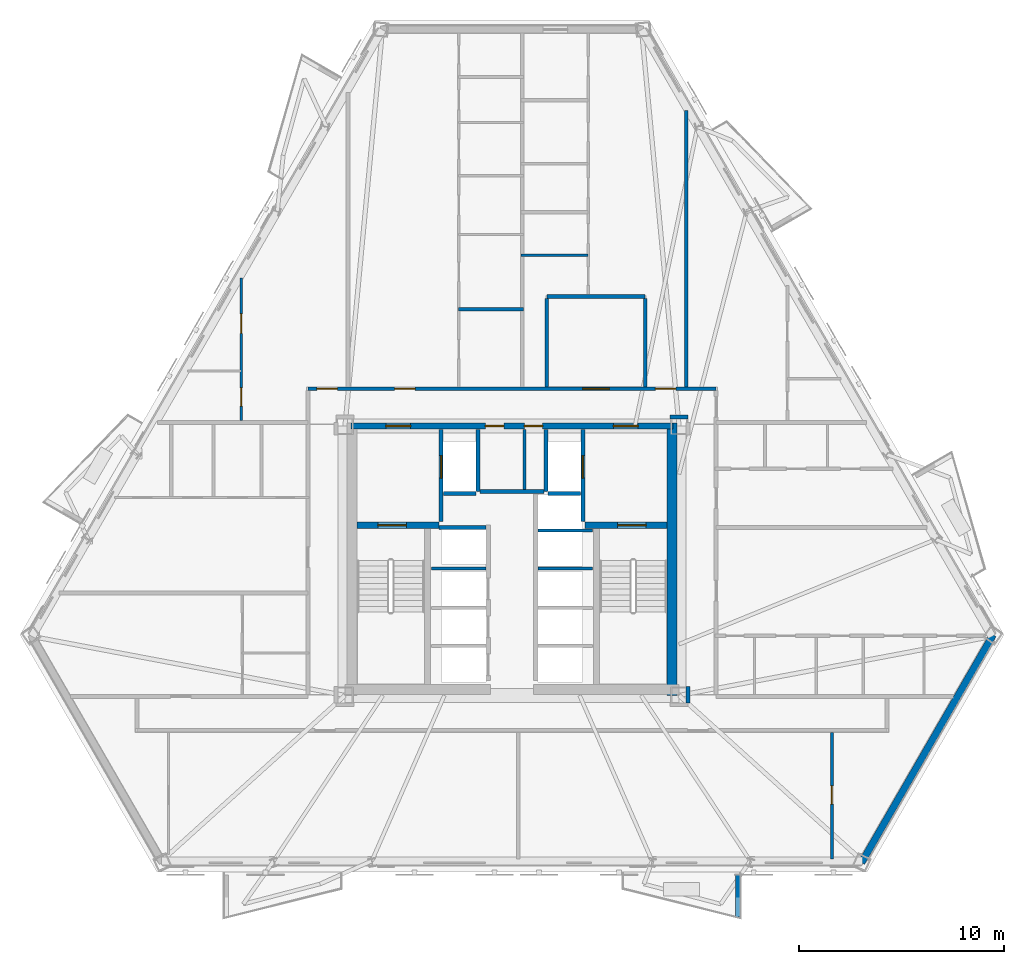
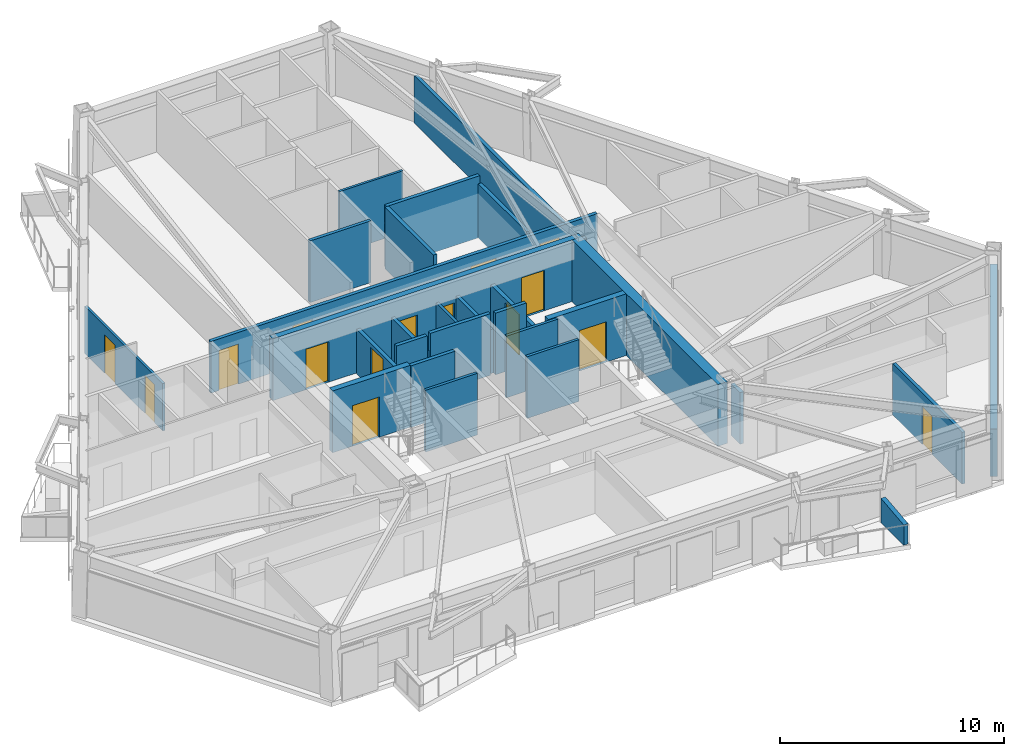
# One storey, part 4 of 11: 29 walls, 15 doors, 15 openings.
"""IFC4 building model written with IfcOpenShell, lengths in metres."""

from ifc_helpers import new_model, si_unit, direction, frame, frame_2d, origin, place, context, subcontext, project, spatial, polyline, rectangle, outline, extrude, material, layer, layer_set, type_object, element, fill, save


model = new_model("IFC4")

# Units and contexts
model_context = context("Model", 3, precision=1e-05, world=origin(), true_north=direction((0.0, 1.0)))
body_context = subcontext(model_context, "Body", "Model", "MODEL_VIEW")
ifc_project = project(units=[si_unit("LENGTHUNIT", "METRE"), si_unit("AREAUNIT", "SQUARE_METRE"), si_unit("VOLUMEUNIT", "CUBIC_METRE"), si_unit("PLANEANGLEUNIT", "RADIAN"), si_unit("MASSUNIT", "GRAM", prefix="KILO")], contexts=[model_context])

# Site, building, storey
site_placement = place(None, origin())
site = spatial("IfcSite", under=ifc_project, at=site_placement, CompositionType="ELEMENT")
building_placement = place(site_placement, origin())
building = spatial("IfcBuilding", under=site, at=building_placement, Name="Oramaril Tower", CompositionType="ELEMENT")
storey_placement = place(building_placement, frame((0.0, 0.0, 82.5)))
storey = spatial("IfcBuildingStorey", under=building, at=storey_placement, Name="L21", CompositionType="ELEMENT", Elevation=82.5)

# Walls
ifc_material_1 = material(Name="Warm Cream Limestone", Category="masonry")
ifc_layer_1 = layer(ifc_material_1, 0.340087890625)
ifc_layer_set_1 = layer_set([ifc_layer_1], Name="WT-EXT34")
wall_type_1 = type_object("IfcWallType", Name="WT-EXT34", PredefinedType="SOLIDWALL", material=ifc_layer_set_1)
wall_1_placement = place(storey_placement, frame((54.55419921875, 2.839111328125, 0.0), z_axis=(0.0, 0.0, 1.0), x_axis=(0.499997269419, 0.866026980281, 0.0)))
element("IfcWall", 1, at=wall_1_placement, inside=storey, type_object=wall_type_1, Name="L21 Tower Limestone Facade Wall 3M", PredefinedType="SOLIDWALL", context=body_context, shape_type="SweptSolid", body=[
    extrude(rectangle(XDim=12.84228515625, YDim=0.340087890625, at=frame_2d((6.421142578125, 0.0))), origin(), (0.0, 0.0, 1.0), 2.577880859375),
])
ifc_material_2 = material(Name="Concrete C40/50", Category="concrete")
ifc_layer_2 = layer(ifc_material_2, 0.22998046875)
ifc_layer_set_2 = layer_set([ifc_layer_2], Name="WT-PRP23")
wall_type_2 = type_object("IfcWallType", Name="WT-PRP23", PredefinedType="PARAPET", material=ifc_layer_set_2)
wall_2_placement = place(storey_placement, frame((48.514892578125, 2.2412109375, 0.0), z_axis=(0.0, 0.0, 1.0), x_axis=(0.0, -1.0, 0.0)))
element("IfcWall", 2, at=wall_2_placement, inside=storey, type_object=wall_type_2, Name="L21 Trapezoidal Balcony Frame Cheek L21-BAL-S2-R", PredefinedType="PARAPET", context=body_context, shape_type="SweptSolid", body=[
    extrude(outline(polyline([(0.0, 0.0), (2.0419921875, 0.0), (2.0419921875, 1.10009765625), (0.0, 1.320068359375), (0.0, 0.0)])), frame((0.0, 0.114990234375, 0.0), z_axis=(0.0, -1.0, 0.0), x_axis=(1.0, 0.0, 0.0)), (0.0, 0.0, 1.0), 0.22998046875),
])
ifc_material_3 = material(Name="Acoustic Gypsum Board Partition")
ifc_layer_3 = layer(ifc_material_3, 0.1201171875)
ifc_layer_set_3 = layer_set([ifc_layer_3], Name="WT-PT12")
wall_type_3 = type_object("IfcWallType", Name="WT-PT12", PredefinedType="PARTITIONING", material=ifc_layer_set_3)
wall_3_placement = place(storey_placement, frame((37.949951171875, 32.489990234375, 0.0), z_axis=(0.0, 0.0, 1.0), x_axis=(1.0, 0.0, 0.0)))
element("IfcWall", 3, at=wall_3_placement, inside=storey, type_object=wall_type_3, Name="L21 Interior Partition PT-12", PredefinedType="PARTITIONING", context=body_context, shape_type="SweptSolid", body=[
    extrude(rectangle(XDim=3.27001953125, YDim=0.1201171875, at=frame_2d((1.635009765625, 0.0))), origin(), (0.0, 0.0, 1.0), 3.360107421875),
])

# Wall, openings, doors
wall_4_placement = place(storey_placement, frame((24.280029296875, 24.4140625, 0.0), z_axis=(0.0, 0.0, 1.0), x_axis=(0.0, 1.0, 0.0)))
wall_4 = element("IfcWall", 4, at=wall_4_placement, inside=storey, type_object=wall_type_3, Name="L21 Interior Partition PT-12", PredefinedType="PARTITIONING", context=body_context, shape_type="SweptSolid", body=[
    extrude(rectangle(XDim=6.961669921875, YDim=0.1201171875, at=frame_2d((3.48095703125, 0.0))), origin(), (0.0, 0.0, 1.0), 2.577880859375),
])
opening_1_placement = place(wall_4_placement, frame((0.7109375, 0.0, 0.0)))
opening_1 = element("IfcOpeningElement", 5, at=opening_1_placement, cuts=wall_4, Name="Opening D-L21-21", PredefinedType="OPENING", context=body_context, shape_type="SweptSolid", body=[
    extrude(rectangle(XDim=0.8798828125, YDim=2.080078125, at=frame_2d((0.43994140625, 1.0400390625))), frame((0.0, 0.06005859375, 0.0), z_axis=(0.0, -1.0, 0.0), x_axis=(1.0, 0.0, 0.0)), (0.0, 0.0, 1.0), 0.1201171875),
])
opening_2_placement = place(wall_4_placement, frame((4.2578125, 0.0, 0.0)))
opening_2 = element("IfcOpeningElement", 6, at=opening_2_placement, cuts=wall_4, Name="Opening D-L21-22", PredefinedType="OPENING", context=body_context, shape_type="SweptSolid", body=[
    extrude(rectangle(XDim=0.949951171875, YDim=2.10009765625, at=frame_2d((0.47509765625, 1.050048828125))), frame((0.0, 0.06005859375, 0.0), z_axis=(0.0, -1.0, 0.0), x_axis=(1.0, 0.0, 0.0)), (0.0, 0.0, 1.0), 0.1201171875),
])
ifc_material_4 = material(Name="FSC Brazilian Freijo Hardwood", Category="wood")
door_type_1 = type_object("IfcDoorType", Name="DT-BATH", OperationType="NOTDEFINED", PredefinedType="DOOR", material=ifc_material_4)
door_1_placement = place(opening_1_placement, origin())
door_1 = element("IfcDoor", 7, at=door_1_placement, inside=storey, type_object=door_type_1, Name="L21 Flat L21-U7 Bathroom Door D-L21-21", OperationType="SINGLE_SWING_LEFT", OverallHeight=2.080078125, OverallWidth=0.8798828125, PredefinedType="DOOR", context=body_context, shape_type="SweptSolid", body=[
    extrude(rectangle(XDim=0.8798828125, YDim=2.080078125, at=frame_2d((0.43994140625, 1.0400390625))), frame((0.0, 0.02490234375, 0.0), z_axis=(0.0, -1.0, 0.0), x_axis=(1.0, 0.0, 0.0)), (0.0, 0.0, 1.0), 0.050048828125),
])
fill(opening_1, door_1)
ifc_material_5 = material(Name="FSC Brazilian Freijo Hardwood", Category="wood")
door_type_2 = type_object("IfcDoorType", Name="DT-STDY", OperationType="NOTDEFINED", PredefinedType="DOOR", material=ifc_material_5)
door_2_placement = place(opening_2_placement, origin())
door_2 = element("IfcDoor", 8, at=door_2_placement, inside=storey, type_object=door_type_2, Name="L21 Flat L21-U7 Kitchen Door D-L21-22", OperationType="SINGLE_SWING_RIGHT", OverallHeight=2.10009765625, OverallWidth=0.949951171875, PredefinedType="DOOR", context=body_context, shape_type="SweptSolid", body=[
    extrude(rectangle(XDim=0.949951171875, YDim=2.10009765625, at=frame_2d((0.47509765625, 1.050048828125))), frame((0.0, 0.02490234375, 0.0), z_axis=(0.0, -1.0, 0.0), x_axis=(1.0, 0.0, 0.0)), (0.0, 0.0, 1.0), 0.050048828125),
])
fill(opening_2, door_2)

# Walls
ifc_material_6 = material(Name="Acoustic Gypsum Board Partition")
ifc_layer_4 = layer(ifc_material_6, 0.139892578125)
ifc_layer_set_4 = layer_set([ifc_layer_4], Name="WT-PT14")
wall_type_4 = type_object("IfcWallType", Name="WT-PT14", PredefinedType="PARTITIONING", material=ifc_layer_set_4)
for number, where, z_axis, x_axis, name in (
    (9, (33.56005859375, 17.199951171875, 0.0), (0.0, 0.0, 1.0), (1.0, 0.0, 0.0), "L21 West Lift Divider"),
    (10, (38.780029296875, 17.199951171875, 0.0), (0.0, 0.0, 1.0), (1.0, 0.0, 0.0), "L21 East Lift Divider"),
    (11, (38.780029296875, 19.050048828125, 0.0), (0.0, 0.0, 1.0), (1.0, 0.0, 0.0), "L21 East Lift Divider"),
):
    element("IfcWall", number, at=place(storey_placement, frame(where, z_axis=z_axis, x_axis=x_axis)), inside=storey, type_object=wall_type_4, Name=name, PredefinedType="PARTITIONING", context=body_context, shape_type="SweptSolid", body=[
        extrude(rectangle(XDim=2.659912109375, YDim=0.139892578125, at=frame_2d((1.330078125, 0.0))), origin(), (0.0, 0.0, 1.0), 3.360107421875),
    ])
wall_5_placement = place(storey_placement, frame((38.110107421875, 21.06005859375, 0.0), z_axis=(0.0, 0.0, 1.0), x_axis=(0.0, 1.0, 0.0)))
element("IfcWall", 12, at=wall_5_placement, inside=storey, type_object=wall_type_4, Name="L21 Core Service Divider", PredefinedType="PARTITIONING", context=body_context, shape_type="SweptSolid", body=[
    extrude(rectangle(XDim=2.919921875, YDim=0.139892578125, at=frame_2d((1.4599609375, 0.0))), origin(), (0.0, 0.0, 1.0), 2.39990234375),
])
ifc_material_7 = material(Name="Acoustic Gypsum Board Partition")
ifc_layer_5 = layer(ifc_material_7, 0.159912109375)
ifc_layer_set_5 = layer_set([ifc_layer_5], Name="WT-PT16")
wall_type_5 = type_object("IfcWallType", Name="WT-PT16", PredefinedType="PARTITIONING", material=ifc_layer_set_5)
wall_6_placement = place(storey_placement, frame((34.89990234375, 29.85009765625, 0.0), z_axis=(0.0, 0.0, 1.0), x_axis=(1.0, 0.0, 0.0)))
element("IfcWall", 13, at=wall_6_placement, inside=storey, type_object=wall_type_5, Name="L21 Interior Partition PT-16", PredefinedType="PARTITIONING", context=body_context, shape_type="SweptSolid", body=[
    extrude(rectangle(XDim=3.150146484375, YDim=0.159912109375, at=frame_2d((1.5751953125, 0.0))), origin(), (0.0, 0.0, 1.0), 3.360107421875),
])

# Wall, opening, door
wall_7_placement = place(storey_placement, frame((53.110107421875, 3.01318359375, 0.0), z_axis=(0.0, 0.0, 1.0), x_axis=(0.0, 1.0, 0.0)))
wall_7 = element("IfcWall", 14, at=wall_7_placement, inside=storey, type_object=wall_type_5, Name="L21 Interior Partition PT-16", PredefinedType="PARTITIONING", context=body_context, shape_type="SweptSolid", body=[
    extrude(rectangle(XDim=6.19287109375, YDim=0.159912109375, at=frame_2d((3.096435546875, 0.0))), origin(), (0.0, 0.0, 1.0), 2.81396484375),
])
opening_3_placement = place(wall_7_placement, frame((2.69140625, 0.0, 0.0)))
opening_3 = element("IfcOpeningElement", 15, at=opening_3_placement, cuts=wall_7, Name="Opening D-L21-42", PredefinedType="OPENING", context=body_context, shape_type="SweptSolid", body=[
    extrude(rectangle(XDim=0.8798828125, YDim=2.080078125, at=frame_2d((0.43994140625, 1.0400390625))), frame((0.0, 0.080078125, 0.0), z_axis=(0.0, -1.0, 0.0), x_axis=(1.0, 0.0, 0.0)), (0.0, 0.0, 1.0), 0.159912109375),
])
door_3_placement = place(opening_3_placement, origin())
door_3 = element("IfcDoor", 16, at=door_3_placement, inside=storey, type_object=door_type_1, Name="L21 Flat L21-U2 Bathroom Door D-L21-42", OperationType="SINGLE_SWING_RIGHT", OverallHeight=2.080078125, OverallWidth=0.8798828125, PredefinedType="DOOR", context=body_context, shape_type="SweptSolid", body=[
    extrude(rectangle(XDim=0.8798828125, YDim=2.080078125, at=frame_2d((0.43994140625, 1.0400390625))), frame((0.0, 0.02490234375, 0.0), z_axis=(0.0, -1.0, 0.0), x_axis=(1.0, 0.0, 0.0)), (0.0, 0.0, 1.0), 0.050048828125),
])
fill(opening_3, door_3)

# Walls
ifc_material_8 = material(Name="Autoclaved Cellular Concrete Block", Category="concrete")
ifc_layer_6 = layer(ifc_material_8, 0.179931640625)
ifc_layer_set_6 = layer_set([ifc_layer_6], Name="WT-PT18")
wall_type_6 = type_object("IfcWallType", Name="WT-PT18", PredefinedType="PARTITIONING", material=ifc_layer_set_6)
wall_8_placement = place(storey_placement, frame((35.840087890625, 20.9599609375, 0.0), z_axis=(0.0, 0.0, 1.0), x_axis=(0.0, 1.0, 0.0)))
element("IfcWall", 17, at=wall_8_placement, inside=storey, type_object=wall_type_6, Name="L21 FL-1 East Shaft Wall", PredefinedType="PARTITIONING", context=body_context, shape_type="SweptSolid", body=[
    extrude(rectangle(XDim=3.02001953125, YDim=0.179931640625, at=frame_2d((1.510009765625, 0.0))), origin(), (0.0, 0.0, 1.0), 2.39990234375),
])
wall_9_placement = place(storey_placement, frame((34.159912109375, 20.860107421875, 0.0), z_axis=(0.0, 0.0, 1.0), x_axis=(1.0, 0.0, 0.0)))
element("IfcWall", 18, at=wall_9_placement, inside=storey, type_object=wall_type_6, Name="L21 FL-1 South Shaft Wall", PredefinedType="PARTITIONING", context=body_context, shape_type="SweptSolid", body=[
    extrude(rectangle(XDim=1.580078125, YDim=0.179931640625, at=frame_2d((0.7900390625, 0.0))), origin(), (0.0, 0.0, 1.0), 3.360107421875),
])
wall_10_placement = place(storey_placement, frame((39.159912109375, 20.9599609375, 0.0), z_axis=(0.0, 0.0, 1.0), x_axis=(0.0, 1.0, 0.0)))
element("IfcWall", 19, at=wall_10_placement, inside=storey, type_object=wall_type_6, Name="L21 FL-2 West Shaft Wall", PredefinedType="PARTITIONING", context=body_context, shape_type="SweptSolid", body=[
    extrude(rectangle(XDim=3.02001953125, YDim=0.179931640625, at=frame_2d((1.510009765625, 0.0))), origin(), (0.0, 0.0, 1.0), 2.39990234375),
])
wall_11_placement = place(storey_placement, frame((39.260009765625, 20.860107421875, 0.0), z_axis=(0.0, 0.0, 1.0), x_axis=(1.0, 0.0, 0.0)))
element("IfcWall", 20, at=wall_11_placement, inside=storey, type_object=wall_type_6, Name="L21 FL-2 South Shaft Wall", PredefinedType="PARTITIONING", context=body_context, shape_type="SweptSolid", body=[
    extrude(rectangle(XDim=1.580078125, YDim=0.179931640625, at=frame_2d((0.7900390625, 0.0))), origin(), (0.0, 0.0, 1.0), 3.360107421875),
])
wall_12_placement = place(storey_placement, frame((33.949951171875, 19.199951171875, 0.0), z_axis=(0.0, 0.0, 1.0), x_axis=(1.0, 0.0, 0.0)))
element("IfcWall", 21, at=wall_12_placement, inside=storey, type_object=wall_type_6, Name="L21 High-Rise Lift H1 North Shaft Wall", PredefinedType="PARTITIONING", context=body_context, shape_type="SweptSolid", body=[
    extrude(rectangle(XDim=2.27001953125, YDim=0.179931640625, at=frame_2d((1.135009765625, 0.0))), origin(), (0.0, 0.0, 1.0), 3.360107421875),
])
wall_13_placement = place(storey_placement, frame((35.949951171875, 20.949951171875, 0.0), z_axis=(0.0, 0.0, 1.0), x_axis=(1.0, 0.0, 0.0)))
element("IfcWall", 22, at=wall_13_placement, inside=storey, type_object=wall_type_6, Name="L21 Lift Lobby North Partition", PredefinedType="PARTITIONING", context=body_context, shape_type="SweptSolid", body=[
    extrude(rectangle(XDim=3.10009765625, YDim=0.179931640625, at=frame_2d((1.550048828125, 0.0))), origin(), (0.0, 0.0, 1.0), 3.360107421875),
])
wall_14_placement = place(storey_placement, frame((45.2099609375, 24.590087890625, 0.0), z_axis=(0.0, 0.0, 1.0), x_axis=(1.0, 0.0, 0.0)))
element("IfcWall", 23, at=wall_14_placement, inside=storey, type_object=wall_type_6, Name="L21 Interior Partition PT-18", PredefinedType="PARTITIONING", context=body_context, shape_type="SweptSolid", body=[
    extrude(rectangle(XDim=0.880126953125, YDim=0.179931640625, at=frame_2d((0.43994140625, 0.0))), origin(), (0.0, 0.0, 1.0), 2.81396484375),
])

# Wall, openings, doors
wall_15_placement = place(storey_placement, frame((27.550048828125, 25.969970703125, 0.0), z_axis=(0.0, 0.0, 1.0), x_axis=(1.0, 0.0, 0.0)))
wall_15 = element("IfcWall", 24, at=wall_15_placement, inside=storey, type_object=wall_type_6, Name="L21 Interior Partition PT-18", PredefinedType="PARTITIONING", context=body_context, shape_type="SweptSolid", body=[
    extrude(rectangle(XDim=19.89990234375, YDim=0.179931640625, at=frame_2d((9.949951171875, 0.0))), origin(), (0.0, 0.0, 1.0), 2.81396484375),
])
opening_4_placement = place(wall_15_placement, frame((0.4248046875, 0.0, 0.0)))
opening_4 = element("IfcOpeningElement", 25, at=opening_4_placement, cuts=wall_15, Name="Opening D-L21-16", PredefinedType="OPENING", context=body_context, shape_type="SweptSolid", body=[
    extrude(rectangle(XDim=1.0, YDim=2.179931640625, at=frame_2d((0.5, 1.08984375))), frame((0.0, 0.08984375, 0.0), z_axis=(0.0, -1.0, 0.0), x_axis=(1.0, 0.0, 0.0)), (0.0, 0.0, 1.0), 0.179931640625),
])
opening_5_placement = place(wall_15_placement, frame((4.222412109375, 0.0, 0.0)))
opening_5 = element("IfcOpeningElement", 26, at=opening_5_placement, cuts=wall_15, Name="Opening D-L21-17", PredefinedType="OPENING", context=body_context, shape_type="SweptSolid", body=[
    extrude(rectangle(XDim=1.0, YDim=2.179931640625, at=frame_2d((0.5, 1.08984375))), frame((0.0, 0.08984375, 0.0), z_axis=(0.0, -1.0, 0.0), x_axis=(1.0, 0.0, 0.0)), (0.0, 0.0, 1.0), 0.179931640625),
])
opening_6_placement = place(wall_15_placement, frame((13.39990234375, 0.0, 0.0)))
opening_6 = element("IfcOpeningElement", 27, at=opening_6_placement, cuts=wall_15, Name="Opening D-L21-18", PredefinedType="OPENING", context=body_context, shape_type="SweptSolid", body=[
    extrude(rectangle(XDim=1.300048828125, YDim=2.199951171875, at=frame_2d((0.64990234375, 1.10009765625))), frame((0.0, 0.08984375, 0.0), z_axis=(0.0, -1.0, 0.0), x_axis=(1.0, 0.0, 0.0)), (0.0, 0.0, 1.0), 0.179931640625),
])
opening_7_placement = place(wall_15_placement, frame((16.949951171875, 0.0, 0.0)))
opening_7 = element("IfcOpeningElement", 28, at=opening_7_placement, cuts=wall_15, Name="Opening D-L21-19", PredefinedType="OPENING", context=body_context, shape_type="SweptSolid", body=[
    extrude(rectangle(XDim=1.0, YDim=2.179931640625, at=frame_2d((0.5, 1.08984375))), frame((0.0, 0.08984375, 0.0), z_axis=(0.0, -1.0, 0.0), x_axis=(1.0, 0.0, 0.0)), (0.0, 0.0, 1.0), 0.179931640625),
])
ifc_material_9 = material(Name="FSC Brazilian Freijo Hardwood", Category="wood")
door_type_3 = type_object("IfcDoorType", Name="DT-APT", OperationType="NOTDEFINED", PredefinedType="DOOR", material=ifc_material_9)
door_4_placement = place(opening_4_placement, origin())
door_4 = element("IfcDoor", 29, at=door_4_placement, inside=storey, type_object=door_type_3, Name="L21 Flat L21-U7 Studio Apartment Door D-L21-16", OperationType="SINGLE_SWING_RIGHT", OverallHeight=2.179931640625, OverallWidth=1.0, PredefinedType="DOOR", context=body_context, shape_type="SweptSolid", body=[
    extrude(rectangle(XDim=1.0, YDim=2.179931640625, at=frame_2d((0.5, 1.08984375))), frame((0.0, 0.02490234375, 0.0), z_axis=(0.0, -1.0, 0.0), x_axis=(1.0, 0.0, 0.0)), (0.0, 0.0, 1.0), 0.050048828125),
])
fill(opening_4, door_4)
door_5_placement = place(opening_5_placement, origin())
door_5 = element("IfcDoor", 30, at=door_5_placement, inside=storey, type_object=door_type_3, Name="L21 Flat L21-U8 Penthouse 2-Bedroom Living and Dining Room Door D-L21-17", OperationType="SINGLE_SWING_LEFT", OverallHeight=2.179931640625, OverallWidth=1.0, PredefinedType="DOOR", context=body_context, shape_type="SweptSolid", body=[
    extrude(rectangle(XDim=1.0, YDim=2.179931640625, at=frame_2d((0.5, 1.08984375))), frame((0.0, 0.02490234375, 0.0), z_axis=(0.0, -1.0, 0.0), x_axis=(1.0, 0.0, 0.0)), (0.0, 0.0, 1.0), 0.050048828125),
])
fill(opening_5, door_5)
door_6_placement = place(opening_7_placement, origin())
door_6 = element("IfcDoor", 31, at=door_6_placement, inside=storey, type_object=door_type_3, Name="L21 Flat L21-U9 Penthouse 2-Bedroom Living and Dining Room Door D-L21-19", OperationType="SINGLE_SWING_LEFT", OverallHeight=2.179931640625, OverallWidth=1.0, PredefinedType="DOOR", context=body_context, shape_type="SweptSolid", body=[
    extrude(rectangle(XDim=1.0, YDim=2.179931640625, at=frame_2d((0.5, 1.08984375))), frame((0.0, 0.02490234375, 0.0), z_axis=(0.0, -1.0, 0.0), x_axis=(1.0, 0.0, 0.0)), (0.0, 0.0, 1.0), 0.050048828125),
])
fill(opening_7, door_6)
ifc_material_10 = material(Name="FSC Brazilian Freijo Hardwood", Category="wood")
door_type_4 = type_object("IfcDoorType", Name="DT-COM", OperationType="NOTDEFINED", PredefinedType="DOOR", material=ifc_material_10)
door_7_placement = place(opening_6_placement, origin())
door_7 = element("IfcDoor", 32, at=door_7_placement, inside=storey, type_object=door_type_4, Name="L21 L21 Residents Floor Meeting Suite Door D-L21-18", OperationType="SINGLE_SWING_RIGHT", OverallHeight=2.199951171875, OverallWidth=1.300048828125, PredefinedType="DOOR", context=body_context, shape_type="SweptSolid", body=[
    extrude(rectangle(XDim=1.300048828125, YDim=2.199951171875, at=frame_2d((0.64990234375, 1.10009765625))), frame((0.0, 0.02490234375, 0.0), z_axis=(0.0, -1.0, 0.0), x_axis=(1.0, 0.0, 0.0)), (0.0, 0.0, 1.0), 0.050048828125),
])
fill(opening_6, door_7)

# Walls
wall_16_placement = place(storey_placement, frame((39.199951171875, 30.469970703125, 0.0), z_axis=(0.0, 0.0, 1.0), x_axis=(1.0, 0.0, 0.0)))
element("IfcWall", 33, at=wall_16_placement, inside=storey, type_object=wall_type_6, Name="L21 Interior Partition PT-18", PredefinedType="PARTITIONING", context=body_context, shape_type="SweptSolid", body=[
    extrude(rectangle(XDim=4.800048828125, YDim=0.179931640625, at=frame_2d((2.39990234375, 0.0))), origin(), (0.0, 0.0, 1.0), 3.360107421875),
])
wall_17_placement = place(storey_placement, frame((39.199951171875, 26.06396484375, 0.0), z_axis=(0.0, 0.0, 1.0), x_axis=(0.0, 1.0, 0.0)))
element("IfcWall", 34, at=wall_17_placement, inside=storey, type_object=wall_type_6, Name="L21 Interior Partition PT-18", PredefinedType="PARTITIONING", context=body_context, shape_type="SweptSolid", body=[
    extrude(rectangle(XDim=4.31201171875, YDim=0.179931640625, at=frame_2d((2.156005859375, 0.0))), origin(), (0.0, 0.0, 1.0), 3.360107421875),
])
wall_18_placement = place(storey_placement, frame((44.0, 26.06396484375, 0.0), z_axis=(0.0, 0.0, 1.0), x_axis=(0.0, 1.0, 0.0)))
element("IfcWall", 35, at=wall_18_placement, inside=storey, type_object=wall_type_6, Name="L21 Interior Partition PT-18", PredefinedType="PARTITIONING", context=body_context, shape_type="SweptSolid", body=[
    extrude(rectangle(XDim=4.31201171875, YDim=0.179931640625, at=frame_2d((2.156005859375, 0.0))), origin(), (0.0, 0.0, 1.0), 2.946044921875),
])
wall_19_placement = place(storey_placement, frame((46.0, 26.06396484375, 0.0), z_axis=(0.0, 0.0, 1.0), x_axis=(0.0, 1.0, 0.0)))
element("IfcWall", 36, at=wall_19_placement, inside=storey, type_object=wall_type_6, Name="L21 Interior Partition PT-18", PredefinedType="PARTITIONING", context=body_context, shape_type="SweptSolid", body=[
    extrude(rectangle(XDim=13.48681640625, YDim=0.179931640625, at=frame_2d((6.743408203125, 0.0))), origin(), (0.0, 0.0, 1.0), 2.577880859375),
])
wall_20_placement = place(storey_placement, frame((46.090087890625, 10.64404296875, 0.0), z_axis=(0.0, 0.0, 1.0), x_axis=(0.0, 1.0, 0.0)))
element("IfcWall", 37, at=wall_20_placement, inside=storey, type_object=wall_type_6, Name="L21 Interior Partition PT-18", PredefinedType="PARTITIONING", context=body_context, shape_type="SweptSolid", body=[
    extrude(rectangle(XDim=0.801025390625, YDim=0.179931640625, at=frame_2d((0.400390625, 0.0))), origin(), (0.0, 0.0, 1.0), 2.81396484375),
])

# Wall, openings, doors
ifc_material_11 = material(Name="Concrete C50/60", Category="concrete")
ifc_layer_7 = layer(ifc_material_11, 0.300048828125)
ifc_layer_set_7 = layer_set([ifc_layer_7], Name="WT-SH30")
wall_type_7 = type_object("IfcWallType", Name="WT-SH30", PredefinedType="SHEAR", material=ifc_layer_set_7)
wall_21_placement = place(storey_placement, frame((29.64990234375, 24.14990234375, 0.0), z_axis=(0.0, 0.0, 1.0), x_axis=(1.0, 0.0, 0.0)))
wall_21 = element("IfcWall", 38, at=wall_21_placement, inside=storey, type_object=wall_type_7, Name="L21 Core Shear Wall CW-N", PredefinedType="SHEAR", context=body_context, shape_type="SweptSolid", body=[
    extrude(rectangle(XDim=15.7001953125, YDim=0.300048828125, at=frame_2d((7.85009765625, 0.0))), origin(), (0.0, 0.0, 1.0), 3.360107421875),
])
opening_8_placement = place(wall_21_placement, frame((1.699951171875, 0.0, 0.0)))
opening_8 = element("IfcOpeningElement", 39, at=opening_8_placement, cuts=wall_21, Name="Opening D-L21-FFL1", PredefinedType="OPENING", context=body_context, shape_type="SweptSolid", body=[
    extrude(rectangle(XDim=1.199951171875, YDim=2.199951171875, at=frame_2d((0.60009765625, 1.10009765625))), frame((0.0, 0.14990234375, 0.0), z_axis=(0.0, -1.0, 0.0), x_axis=(1.0, 0.0, 0.0)), (0.0, 0.0, 1.0), 0.300048828125),
])
opening_9_placement = place(wall_21_placement, frame((12.800048828125, 0.0, 0.0)))
opening_9 = element("IfcOpeningElement", 40, at=opening_9_placement, cuts=wall_21, Name="Opening D-L21-FFL2", PredefinedType="OPENING", context=body_context, shape_type="SweptSolid", body=[
    extrude(rectangle(XDim=1.199951171875, YDim=2.199951171875, at=frame_2d((0.60009765625, 1.10009765625))), frame((0.0, 0.14990234375, 0.0), z_axis=(0.0, -1.0, 0.0), x_axis=(1.0, 0.0, 0.0)), (0.0, 0.0, 1.0), 0.300048828125),
])
opening_10_placement = place(wall_21_placement, frame((6.550048828125, 0.0, 0.0)))
opening_10 = element("IfcOpeningElement", 41, at=opening_10_placement, cuts=wall_21, Name="Opening D-L21-SV1", PredefinedType="OPENING", context=body_context, shape_type="SweptSolid", body=[
    extrude(rectangle(XDim=0.89990234375, YDim=2.050048828125, at=frame_2d((0.449951171875, 1.02490234375))), frame((0.0, 0.14990234375, 0.0), z_axis=(0.0, -1.0, 0.0), x_axis=(1.0, 0.0, 0.0)), (0.0, 0.0, 1.0), 0.300048828125),
])
opening_11_placement = place(wall_21_placement, frame((8.449951171875, 0.0, 0.0)))
opening_11 = element("IfcOpeningElement", 42, at=opening_11_placement, cuts=wall_21, Name="Opening D-L21-SV2", PredefinedType="OPENING", context=body_context, shape_type="SweptSolid", body=[
    extrude(rectangle(XDim=0.89990234375, YDim=2.050048828125, at=frame_2d((0.449951171875, 1.02490234375))), frame((0.0, 0.14990234375, 0.0), z_axis=(0.0, -1.0, 0.0), x_axis=(1.0, 0.0, 0.0)), (0.0, 0.0, 1.0), 0.300048828125),
])
ifc_material_12 = material(Name="Painted Galvanised Steel", Category="steel")
door_type_5 = type_object("IfcDoorType", Name="DT-FFL", OperationType="NOTDEFINED", PredefinedType="DOOR", material=ifc_material_12)
door_8_placement = place(opening_8_placement, origin())
door_8 = element("IfcDoor", 43, at=door_8_placement, inside=storey, type_object=door_type_5, Name="L21 Firefighting Lobby 1 Fire Door", OperationType="SINGLE_SWING_LEFT", OverallHeight=2.199951171875, OverallWidth=1.199951171875, PredefinedType="DOOR", context=body_context, shape_type="SweptSolid", body=[
    extrude(rectangle(XDim=1.199951171875, YDim=2.199951171875, at=frame_2d((0.60009765625, 1.10009765625))), frame((0.0, 0.02490234375, 0.0), z_axis=(0.0, -1.0, 0.0), x_axis=(1.0, 0.0, 0.0)), (0.0, 0.0, 1.0), 0.050048828125),
])
fill(opening_8, door_8)
door_9_placement = place(opening_9_placement, origin())
door_9 = element("IfcDoor", 44, at=door_9_placement, inside=storey, type_object=door_type_5, Name="L21 Firefighting Lobby 2 Fire Door", OperationType="SINGLE_SWING_RIGHT", OverallHeight=2.199951171875, OverallWidth=1.199951171875, PredefinedType="DOOR", context=body_context, shape_type="SweptSolid", body=[
    extrude(rectangle(XDim=1.199951171875, YDim=2.199951171875, at=frame_2d((0.60009765625, 1.10009765625))), frame((0.0, 0.02490234375, 0.0), z_axis=(0.0, -1.0, 0.0), x_axis=(1.0, 0.0, 0.0)), (0.0, 0.0, 1.0), 0.050048828125),
])
fill(opening_9, door_9)
ifc_material_13 = material(Name="Painted Galvanised Steel", Category="steel")
door_type_6 = type_object("IfcDoorType", Name="DT-SVC", OperationType="NOTDEFINED", PredefinedType="DOOR", material=ifc_material_13)
door_10_placement = place(opening_10_placement, origin())
door_10 = element("IfcDoor", 45, at=door_10_placement, inside=storey, type_object=door_type_6, Name="L21 Core Service Store 1 Door", OperationType="SINGLE_SWING_LEFT", OverallHeight=2.050048828125, OverallWidth=0.89990234375, PredefinedType="DOOR", context=body_context, shape_type="SweptSolid", body=[
    extrude(rectangle(XDim=0.89990234375, YDim=2.050048828125, at=frame_2d((0.449951171875, 1.02490234375))), frame((0.0, 0.02490234375, 0.0), z_axis=(0.0, -1.0, 0.0), x_axis=(1.0, 0.0, 0.0)), (0.0, 0.0, 1.0), 0.050048828125),
])
fill(opening_10, door_10)
door_11_placement = place(opening_11_placement, origin())
door_11 = element("IfcDoor", 46, at=door_11_placement, inside=storey, type_object=door_type_6, Name="L21 Core Service Store 2 Door", OperationType="SINGLE_SWING_RIGHT", OverallHeight=2.050048828125, OverallWidth=0.89990234375, PredefinedType="DOOR", context=body_context, shape_type="SweptSolid", body=[
    extrude(rectangle(XDim=0.89990234375, YDim=2.050048828125, at=frame_2d((0.449951171875, 1.02490234375))), frame((0.0, 0.02490234375, 0.0), z_axis=(0.0, -1.0, 0.0), x_axis=(1.0, 0.0, 0.0)), (0.0, 0.0, 1.0), 0.050048828125),
])
fill(opening_11, door_11)

# Wall, opening, door
wall_22_placement = place(storey_placement, frame((29.93994140625, 19.31005859375, 0.0), z_axis=(0.0, 0.0, 1.0), x_axis=(1.0, 0.0, 0.0)))
wall_22 = element("IfcWall", 47, at=wall_22_placement, inside=storey, type_object=wall_type_7, Name="L21 Core Shear Wall CW-ST1N", PredefinedType="SHEAR", context=body_context, shape_type="SweptSolid", body=[
    extrude(rectangle(XDim=4.010009765625, YDim=0.300048828125, at=frame_2d((2.0048828125, 0.0))), origin(), (0.0, 0.0, 1.0), 3.360107421875),
])
opening_12_placement = place(wall_22_placement, frame((1.010009765625, 0.0, 0.0)))
opening_12 = element("IfcOpeningElement", 48, at=opening_12_placement, cuts=wall_22, Name="Opening D-L21-ST1", PredefinedType="OPENING", context=body_context, shape_type="SweptSolid", body=[
    extrude(rectangle(XDim=1.39990234375, YDim=2.199951171875, at=frame_2d((0.699951171875, 1.10009765625))), frame((0.0, 0.14990234375, 0.0), z_axis=(0.0, -1.0, 0.0), x_axis=(1.0, 0.0, 0.0)), (0.0, 0.0, 1.0), 0.300048828125),
])
ifc_material_14 = material(Name="Painted Galvanised Steel", Category="steel")
door_type_7 = type_object("IfcDoorType", Name="DT-ST", OperationType="NOTDEFINED", PredefinedType="DOOR", material=ifc_material_14)
door_12_placement = place(opening_12_placement, origin())
door_12 = element("IfcDoor", 49, at=door_12_placement, inside=storey, type_object=door_type_7, Name="L21 Protected Stair ST-1 Fire Door", OperationType="SINGLE_SWING_LEFT", OverallHeight=2.199951171875, OverallWidth=1.39990234375, PredefinedType="DOOR", context=body_context, shape_type="SweptSolid", body=[
    extrude(rectangle(XDim=1.39990234375, YDim=2.199951171875, at=frame_2d((0.699951171875, 1.10009765625))), frame((0.0, 0.02490234375, 0.0), z_axis=(0.0, -1.0, 0.0), x_axis=(1.0, 0.0, 0.0)), (0.0, 0.0, 1.0), 0.050048828125),
])
fill(opening_12, door_12)

wall_23_placement = place(storey_placement, frame((41.050048828125, 19.31005859375, 0.0), z_axis=(0.0, 0.0, 1.0), x_axis=(1.0, 0.0, 0.0)))
wall_23 = element("IfcWall", 50, at=wall_23_placement, inside=storey, type_object=wall_type_7, Name="L21 Core Shear Wall CW-ST2N", PredefinedType="SHEAR", context=body_context, shape_type="SweptSolid", body=[
    extrude(rectangle(XDim=4.010009765625, YDim=0.300048828125, at=frame_2d((2.0048828125, 0.0))), origin(), (0.0, 0.0, 1.0), 3.360107421875),
])
opening_13_placement = place(wall_23_placement, frame((1.60009765625, 0.0, 0.0)))
opening_13 = element("IfcOpeningElement", 51, at=opening_13_placement, cuts=wall_23, Name="Opening D-L21-ST2", PredefinedType="OPENING", context=body_context, shape_type="SweptSolid", body=[
    extrude(rectangle(XDim=1.39990234375, YDim=2.199951171875, at=frame_2d((0.699951171875, 1.10009765625))), frame((0.0, 0.14990234375, 0.0), z_axis=(0.0, -1.0, 0.0), x_axis=(1.0, 0.0, 0.0)), (0.0, 0.0, 1.0), 0.300048828125),
])
door_13_placement = place(opening_13_placement, origin())
door_13 = element("IfcDoor", 52, at=door_13_placement, inside=storey, type_object=door_type_7, Name="L21 Protected Stair ST-2 Fire Door", OperationType="SINGLE_SWING_RIGHT", OverallHeight=2.199951171875, OverallWidth=1.39990234375, PredefinedType="DOOR", context=body_context, shape_type="SweptSolid", body=[
    extrude(rectangle(XDim=1.39990234375, YDim=2.199951171875, at=frame_2d((0.699951171875, 1.10009765625))), frame((0.0, 0.02490234375, 0.0), z_axis=(0.0, -1.0, 0.0), x_axis=(1.0, 0.0, 0.0)), (0.0, 0.0, 1.0), 0.050048828125),
])
fill(opening_13, door_13)

# Wall
ifc_material_15 = material(Name="Concrete C50/60", Category="concrete")
ifc_layer_8 = layer(ifc_material_15, 0.5)
ifc_layer_set_8 = layer_set([ifc_layer_8], Name="WT-SH50")
wall_type_8 = type_object("IfcWallType", Name="WT-SH50", PredefinedType="SHEAR", material=ifc_layer_set_8)
wall_24_placement = place(storey_placement, frame((45.31005859375, 11.0, 0.0), z_axis=(0.0, 0.0, 1.0), x_axis=(0.0, 1.0, 0.0)))
element("IfcWall", 53, at=wall_24_placement, inside=storey, type_object=wall_type_8, Name="L21 Core Shear Wall CW-E", PredefinedType="SHEAR", context=body_context, shape_type="SweptSolid", body=[
    extrude(rectangle(XDim=13.300048828125, YDim=0.5, at=frame_2d((6.64990234375, 0.0))), origin(), (0.0, 0.0, 1.0), 3.360107421875),
])

# Wall, opening, door
ifc_material_16 = material(Name="Autoclaved Cellular Concrete Block", Category="concrete")
ifc_layer_9 = layer(ifc_material_16, 0.199951171875)
ifc_layer_set_9 = layer_set([ifc_layer_9], Name="WT-SHF20")
wall_type_9 = type_object("IfcWallType", Name="WT-SHF20", PredefinedType="PARTITIONING", material=ifc_layer_set_9)
wall_25_placement = place(storey_placement, frame((34.0400390625, 19.47998046875, 0.0), z_axis=(0.0, 0.0, 1.0), x_axis=(0.0, 1.0, 0.0)))
wall_25 = element("IfcWall", 54, at=wall_25_placement, inside=storey, type_object=wall_type_9, Name="L21 FL-1 Lobby Shaft Wall", PredefinedType="PARTITIONING", context=body_context, shape_type="SweptSolid", body=[
    extrude(rectangle(XDim=4.5, YDim=0.199951171875, at=frame_2d((2.25, 0.0))), origin(), (0.0, 0.0, 1.0), 2.39990234375),
])
opening_14_placement = place(wall_25_placement, frame((2.1201171875, 0.0, 0.0)))
opening_14 = element("IfcOpeningElement", 55, at=opening_14_placement, cuts=wall_25, Name="Opening LD-L21-FL-1", PredefinedType="OPENING", context=body_context, shape_type="SweptSolid", body=[
    extrude(rectangle(XDim=1.10009765625, YDim=2.199951171875, at=frame_2d((0.550048828125, 1.10009765625))), frame((0.0, 0.10009765625, 0.0), z_axis=(0.0, -1.0, 0.0), x_axis=(1.0, 0.0, 0.0)), (0.0, 0.0, 1.0), 0.199951171875),
])
ifc_material_17 = material(Name="Stainless Steel 316L", Category="steel")
door_type_8 = type_object("IfcDoorType", Name="DT-LD1", OperationType="NOTDEFINED", PredefinedType="DOOR", material=ifc_material_17)
door_14_placement = place(opening_14_placement, origin())
door_14 = element("IfcDoor", 56, at=door_14_placement, inside=storey, type_object=door_type_8, Name="L21 Lift FL-1 Sliding Landing Door", OperationType="SLIDING_TO_LEFT", OverallHeight=2.199951171875, OverallWidth=1.10009765625, PredefinedType="DOOR", context=body_context, shape_type="SweptSolid", body=[
    extrude(rectangle(XDim=1.10009765625, YDim=2.199951171875, at=frame_2d((0.550048828125, 1.10009765625))), frame((0.0, 0.02490234375, 0.0), z_axis=(0.0, -1.0, 0.0), x_axis=(1.0, 0.0, 0.0)), (0.0, 0.0, 1.0), 0.050048828125),
])
fill(opening_14, door_14)

wall_26_placement = place(storey_placement, frame((40.9599609375, 19.47998046875, 0.0), z_axis=(0.0, 0.0, 1.0), x_axis=(0.0, 1.0, 0.0)))
wall_26 = element("IfcWall", 57, at=wall_26_placement, inside=storey, type_object=wall_type_9, Name="L21 FL-2 Lobby Shaft Wall", PredefinedType="PARTITIONING", context=body_context, shape_type="SweptSolid", body=[
    extrude(rectangle(XDim=4.5, YDim=0.199951171875, at=frame_2d((2.25, 0.0))), origin(), (0.0, 0.0, 1.0), 2.39990234375),
])
opening_15_placement = place(wall_26_placement, frame((2.1201171875, 0.0, 0.0)))
opening_15 = element("IfcOpeningElement", 58, at=opening_15_placement, cuts=wall_26, Name="Opening LD-L21-FL-2", PredefinedType="OPENING", context=body_context, shape_type="SweptSolid", body=[
    extrude(rectangle(XDim=1.10009765625, YDim=2.199951171875, at=frame_2d((0.550048828125, 1.10009765625))), frame((0.0, 0.10009765625, 0.0), z_axis=(0.0, -1.0, 0.0), x_axis=(1.0, 0.0, 0.0)), (0.0, 0.0, 1.0), 0.199951171875),
])
door_15_placement = place(opening_15_placement, origin())
door_15 = element("IfcDoor", 59, at=door_15_placement, inside=storey, type_object=door_type_8, Name="L21 Lift FL-2 Sliding Landing Door", OperationType="SLIDING_TO_RIGHT", OverallHeight=2.199951171875, OverallWidth=1.10009765625, PredefinedType="DOOR", context=body_context, shape_type="SweptSolid", body=[
    extrude(rectangle(XDim=1.10009765625, YDim=2.199951171875, at=frame_2d((0.550048828125, 1.10009765625))), frame((0.0, 0.02490234375, 0.0), z_axis=(0.0, -1.0, 0.0), x_axis=(1.0, 0.0, 0.0)), (0.0, 0.0, 1.0), 0.050048828125),
])
fill(opening_15, door_15)

save(model, "model.ifc")
